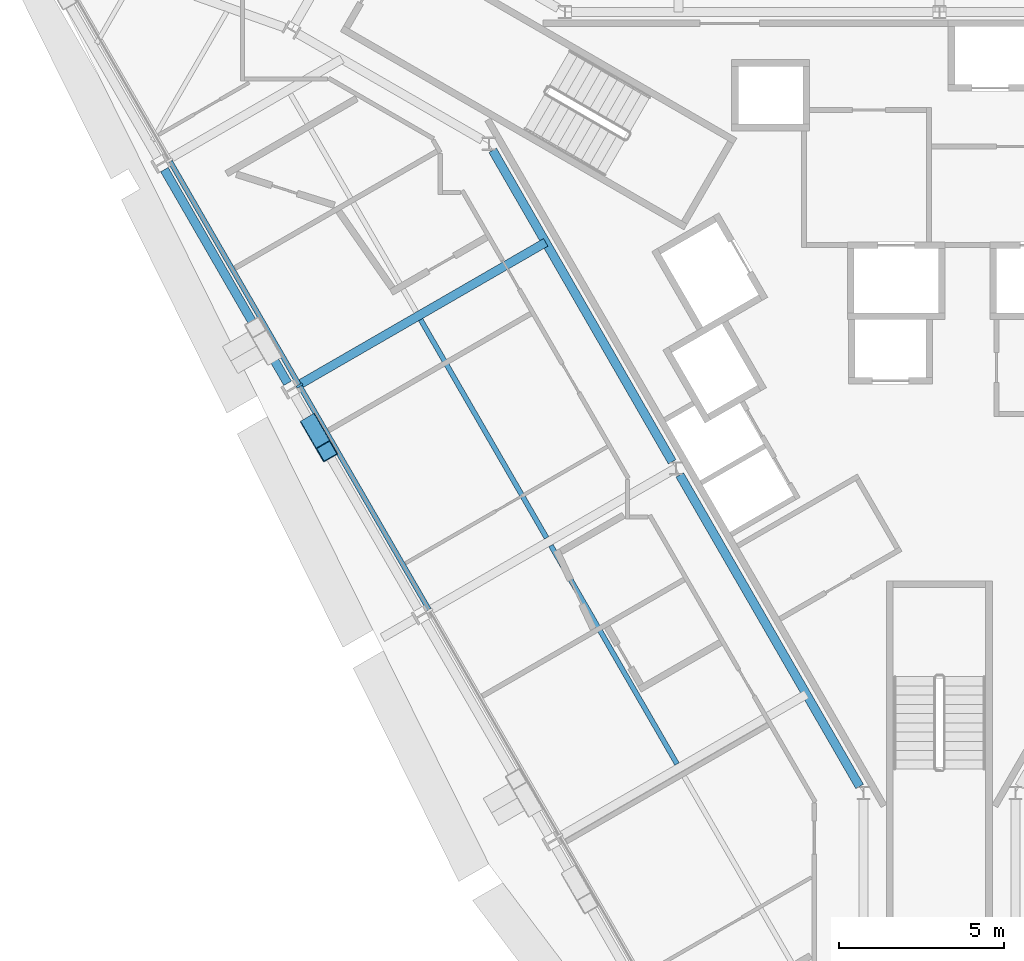
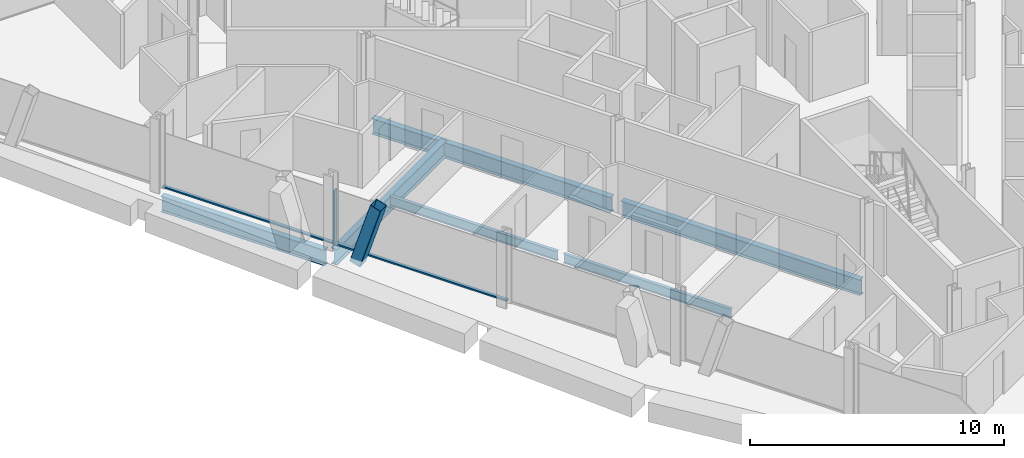
# One storey, part 4 of 17: 6 beams, 4 members, 1 element without a shape of its own.
"""IFC4 building model written with IfcOpenShell, lengths in metres."""

from ifc_helpers import new_model, si_unit, direction, frame, origin, origin_2d, place, context, subcontext, project, spatial, rectangle, hollow_rectangle, i_section, extrude, material, material_profile, profile_set, type_object, element, aggregate, save


model = new_model("IFC4")

# Units and contexts
model_context = context("Model", 3, precision=1e-05, world=origin(), true_north=direction((0.0, 1.0)))
body_context = subcontext(model_context, "Body", "Model", "MODEL_VIEW")
ifc_project = project(units=[si_unit("LENGTHUNIT", "METRE"), si_unit("AREAUNIT", "SQUARE_METRE"), si_unit("VOLUMEUNIT", "CUBIC_METRE"), si_unit("PLANEANGLEUNIT", "RADIAN"), si_unit("MASSUNIT", "GRAM", prefix="KILO")], contexts=[model_context])

# Site, building, storey
site_placement = place(None, origin())
site = spatial("IfcSite", under=ifc_project, at=site_placement, CompositionType="ELEMENT")
building_placement = place(site_placement, origin())
building = spatial("IfcBuilding", under=site, at=building_placement, Name="Verrane Prism Tower", CompositionType="ELEMENT")
storey_placement = place(building_placement, frame((0.0, 0.0, 96.39990234375)))
storey = spatial("IfcBuildingStorey", under=building, at=storey_placement, Name="L22", CompositionType="ELEMENT", Elevation=96.39990234375)

# Beams
ifc_material_1 = material(Name="Steel A992", Category="steel")
ifc_material_profile_1 = material_profile(ifc_material_1, i_section(OverallWidth=0.2666015625, OverallDepth=0.7568359375, WebThickness=0.013916015625, FlangeThickness=0.019287109375, FilletRadius=0.0166015625, at=origin_2d()), Name="W30x108")
ifc_profile_set_1 = profile_set([ifc_material_profile_1], Name="Steel A992")
beam_type_1 = type_object("IfcBeamType", Name="Core ring girder W30x108", PredefinedType="BEAM", material=ifc_profile_set_1)
beam_1_placement = place(storey_placement, frame((-13.51513671875, 5.0205078125, -0.62841796875), z_axis=(0.4993706109, -0.866388476937, 0.0), x_axis=(0.866388476937, 0.4993706109, 0.0)))
element("IfcBeam", 1, at=beam_1_placement, inside=storey, type_object=beam_type_1, Name="Core ring girder L22", PredefinedType="BEAM", context=body_context, shape_type="SweptSolid", body=[
    extrude(i_section(OverallWidth=0.2666015625, OverallDepth=0.7568359375, WebThickness=0.013916015625, FlangeThickness=0.019287109375, FilletRadius=0.0166015625, at=origin_2d()), origin(), (0.0, 0.0, 1.0), 10.8740234375),
])
beam_2_placement = place(storey_placement, frame((-7.85498046875, -4.79931640625, -0.62841796875), z_axis=(0.500034555306, -0.86600545235, 0.0), x_axis=(0.86600545235, 0.500034555306, 0.0)))
element("IfcBeam", 2, at=beam_2_placement, inside=storey, type_object=beam_type_1, Name="Core ring girder L22", PredefinedType="BEAM", context=body_context, shape_type="SweptSolid", body=[
    extrude(i_section(OverallWidth=0.2666015625, OverallDepth=0.7568359375, WebThickness=0.013916015625, FlangeThickness=0.019287109375, FilletRadius=0.0166015625, at=origin_2d()), origin(), (0.0, 0.0, 1.0), 10.879150390625),
])

# Member
ifc_material_2 = material(Name="Steel A1085 Grade A", Category="steel")
ifc_material_profile_2 = material_profile(ifc_material_2, hollow_rectangle(XDim=0.508056640625, YDim=0.508056640625, WallThickness=0.025390625, InnerFilletRadius=0.0126953125, OuterFilletRadius=0.0380859375, at=origin_2d()), Name="HSS20x20x1")
ifc_profile_set_2 = profile_set([ifc_material_profile_2], Name="Steel A1085 Grade A")
member_type_1 = type_object("IfcMemberType", Name="Facade brace HSS20x20x1", PredefinedType="BRACE", material=ifc_profile_set_2)
member_1_placement = place(storey_placement, frame((-19.0009765625, -3.265869140625, -0.242431640625), z_axis=(0.149260612357, -0.258708067085, 0.954353920526), x_axis=(0.866176951033, 0.499737420551, 0.0)))
element("IfcMember", 3, at=member_1_placement, inside=storey, type_object=member_type_1, Name="Facade brace SW2 L22", PredefinedType="BRACE", context=body_context, shape_type="SweptSolid", body=[
    extrude(hollow_rectangle(XDim=0.508056640625, YDim=0.508056640625, WallThickness=0.025390625, InnerFilletRadius=0.0126953125, OuterFilletRadius=0.0380859375, at=origin_2d()), origin(), (0.0, 0.0, 1.0), 3.15185546875),
])

# Beams
ifc_material_3 = material(Name="Steel A992", Category="steel")
ifc_material_profile_3 = material_profile(ifc_material_3, i_section(OverallWidth=0.15234375, OverallDepth=0.449462890625, WebThickness=0.007568359375, FlangeThickness=0.0107421875, FilletRadius=0.01025390625, at=origin_2d()), Name="W18x35")
ifc_profile_set_3 = profile_set([ifc_material_profile_3], Name="Steel A992")
beam_type_2 = type_object("IfcBeamType", Name="Floor beam W18x35", PredefinedType="BEAM", material=ifc_profile_set_3)
beam_3_placement = place(storey_placement, frame((-11.88330078125, -6.702392578125, -0.384765625), z_axis=(-0.500014495457, 0.866017034666, 0.0), x_axis=(-0.866017034666, -0.500014495457, 0.0)))
element("IfcBeam", 4, at=beam_3_placement, inside=storey, type_object=beam_type_2, Name="Floor beam L22", PredefinedType="BEAM", context=body_context, shape_type="SweptSolid", body=[
    extrude(i_section(OverallWidth=0.15234375, OverallDepth=0.449462890625, WebThickness=0.007568359375, FlangeThickness=0.0107421875, FilletRadius=0.01025390625, at=origin_2d()), origin(), (0.0, 0.0, 1.0), 7.622314453125),
])
beam_4_placement = place(storey_placement, frame((-7.93701171875, -13.544677734375, -0.384765625), z_axis=(-0.499999364504, 0.866025770688, 0.0), x_axis=(-0.866025770688, -0.499999364504, 0.0)))
element("IfcBeam", 5, at=beam_4_placement, inside=storey, type_object=beam_type_2, Name="Floor beam L22", PredefinedType="BEAM", context=body_context, shape_type="SweptSolid", body=[
    extrude(i_section(OverallWidth=0.15234375, OverallDepth=0.449462890625, WebThickness=0.007568359375, FlangeThickness=0.0107421875, FilletRadius=0.01025390625, at=origin_2d()), origin(), (0.0, 0.0, 1.0), 7.6318359375),
])

# Curtain wall, member
ifc_material_4 = material(Name="Aluminium framed insulated glazing", Category="aluminium")
curtain_wall_type = type_object("IfcCurtainWallType", Name="Curtain wall CW-A 8400 module", PredefinedType="NOTDEFINED", material=ifc_material_4)
curtain_wall_placement = place(storey_placement, origin())
curtain_wall = element("IfcCurtainWall", 6, at=curtain_wall_placement, inside=storey, type_object=curtain_wall_type, Name="Glazed curtain wall south-west face L22", PredefinedType="NOTDEFINED")
ifc_material_5 = material(Name="Aluminium alloy 6063-T6", Category="aluminium")
ifc_material_profile_4 = material_profile(ifc_material_5, rectangle(XDim=0.199951171875, YDim=0.070068359375, at=origin_2d()), Name="Mullion 70x200 aluminium")
ifc_profile_set_4 = profile_set([ifc_material_profile_4], Name="Aluminium alloy 6063-T6")
member_type_2 = type_object("IfcMemberType", Name="Mullion 70x200 aluminium", PredefinedType="MULLION", material=ifc_profile_set_4)
member_2_placement = place(storey_placement, frame((-19.3564453125, -2.095703125, 0.0), z_axis=(0.0, 0.0, 1.0), x_axis=(0.866025621383, 0.499999623108, 0.0)))
member_2 = element("IfcMember", 7, at=member_2_placement, type_object=member_type_2, Name="CW21.4 mullion 3", PredefinedType="MULLION", context=body_context, shape_type="SweptSolid", body=[
    extrude(rectangle(XDim=0.199951171875, YDim=0.070068359375, at=origin_2d()), origin(), (0.0, 0.0, 1.0), 2.613037109375),
])

# Beams
ifc_material_6 = material(Name="Steel A992", Category="steel")
ifc_material_profile_5 = material_profile(ifc_material_6, i_section(OverallWidth=0.2666015625, OverallDepth=0.76708984375, WebThickness=0.014892578125, FlangeThickness=0.023681640625, FilletRadius=0.0166015625, at=origin_2d()), Name="W30x124")
ifc_profile_set_5 = profile_set([ifc_material_profile_5], Name="Steel A992")
beam_type_3 = type_object("IfcBeamType", Name="Radial girder W30x124", PredefinedType="BEAM", material=ifc_profile_set_5)
beam_5_placement = place(storey_placement, frame((-19.404296875, -2.09130859375, -0.603515625), z_axis=(0.866024441312, 0.500001667048, 0.0), x_axis=(-0.500001667048, 0.866024441312, 0.0)))
element("IfcBeam", 8, at=beam_5_placement, inside=storey, type_object=beam_type_3, Name="Radial girder L22", PredefinedType="BEAM", context=body_context, shape_type="SweptSolid", body=[
    extrude(i_section(OverallWidth=0.2666015625, OverallDepth=0.76708984375, WebThickness=0.014892578125, FlangeThickness=0.023681640625, FilletRadius=0.0166015625, at=origin_2d()), origin(), (0.0, 0.0, 1.0), 8.65380859375),
])
ifc_material_7 = material(Name="Steel A992", Category="steel")
ifc_material_profile_6 = material_profile(ifc_material_7, i_section(OverallWidth=0.2666015625, OverallDepth=0.7568359375, WebThickness=0.013916015625, FlangeThickness=0.019287109375, FilletRadius=0.0166015625, at=origin_2d()), Name="W30x108")
ifc_profile_set_6 = profile_set([ifc_material_profile_6], Name="Steel A992")
beam_type_4 = type_object("IfcBeamType", Name="Spandrel beam W30x108", PredefinedType="SPANDREL", material=ifc_profile_set_6)
beam_6_placement = place(storey_placement, frame((-23.444091796875, 4.436279296875, -0.538330078125), z_axis=(0.499679960224, -0.866210100005, 0.0), x_axis=(0.866210100005, 0.499679960224, 0.0)))
element("IfcBeam", 9, at=beam_6_placement, inside=storey, type_object=beam_type_4, Name="Spandrel beam L22", PredefinedType="SPANDREL", context=body_context, shape_type="SweptSolid", body=[
    extrude(i_section(OverallWidth=0.2666015625, OverallDepth=0.7568359375, WebThickness=0.013916015625, FlangeThickness=0.019287109375, FilletRadius=0.0166015625, at=origin_2d()), origin(), (0.0, 0.0, 1.0), 7.4609375),
])

# Member
ifc_material_8 = material(Name="Aluminium alloy 6063-T6", Category="aluminium")
ifc_material_profile_7 = material_profile(ifc_material_8, rectangle(XDim=0.14990234375, YDim=0.070068359375, at=origin_2d()), Name="Transom 70x150 aluminium")
ifc_profile_set_7 = profile_set([ifc_material_profile_7], Name="Aluminium alloy 6063-T6")
member_type_3 = type_object("IfcMemberType", Name="Transom 70x150 aluminium", PredefinedType="USERDEFINED", material=ifc_profile_set_7)
member_3_placement = place(storey_placement, frame((-23.2705078125, 4.683837890625, 0.03515625), z_axis=(0.500003566721, -0.866023344527, 0.0), x_axis=(0.866023344527, 0.500003566721, 0.0)))
member_3 = element("IfcMember", 10, at=member_3_placement, type_object=member_type_3, Name="CW21.4 transom 2", ObjectType="TRANSOM", PredefinedType="USERDEFINED", context=body_context, shape_type="SweptSolid", body=[
    extrude(rectangle(XDim=0.14990234375, YDim=0.070068359375, at=origin_2d()), origin(), (0.0, 0.0, 1.0), 7.79345703125),
])

member_4_placement = place(storey_placement, frame((-19.3388671875, -2.1259765625, 0.03515625), z_axis=(0.500003566721, -0.866023344527, 0.0), x_axis=(0.866023344527, 0.500003566721, 0.0)))
member_4 = element("IfcMember", 11, at=member_4_placement, type_object=member_type_3, Name="CW21.4 transom 3", ObjectType="TRANSOM", PredefinedType="USERDEFINED", context=body_context, shape_type="SweptSolid", body=[
    extrude(rectangle(XDim=0.14990234375, YDim=0.070068359375, at=origin_2d()), origin(), (0.0, 0.0, 1.0), 7.79345703125),
])

aggregate(curtain_wall, [member_2, member_3, member_4])

save(model, "model.ifc")
